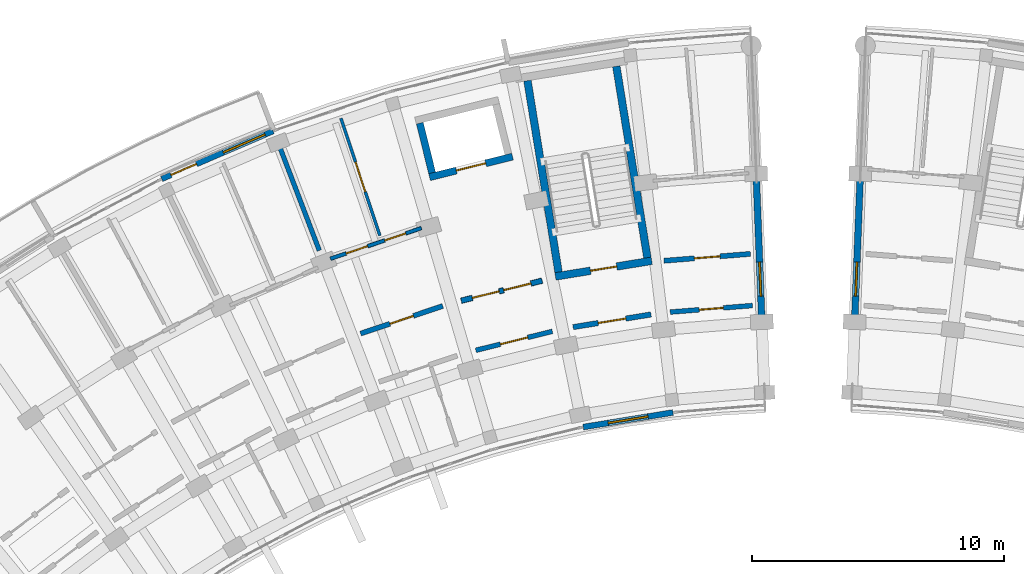
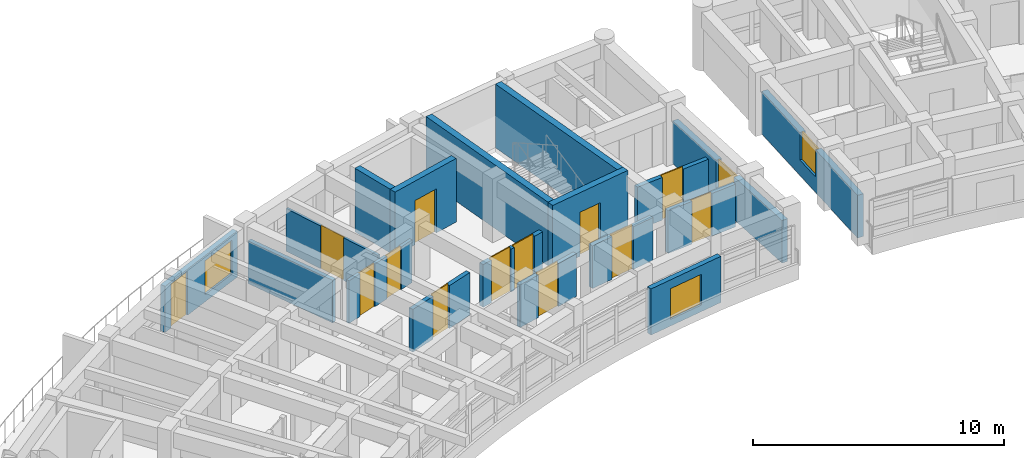
# One storey, part 46 of 70: 18 walls, 13 doors, 4 windows, 17 openings.
"""IFC4 building model written with IfcOpenShell, lengths in metres."""

from ifc_helpers import new_model, si_unit, direction, frame, frame_2d, origin, place, context, subcontext, project, spatial, rectangle, extrude, material, layer, layer_set, type_object, element, fill, save


model = new_model("IFC4")

# Units and contexts
model_context = context("Model", 3, precision=1e-05, world=origin(), true_north=direction((0.0, 1.0)))
body_context = subcontext(model_context, "Body", "Model", "MODEL_VIEW")
ifc_project = project(units=[si_unit("LENGTHUNIT", "METRE"), si_unit("AREAUNIT", "SQUARE_METRE"), si_unit("VOLUMEUNIT", "CUBIC_METRE"), si_unit("PLANEANGLEUNIT", "RADIAN"), si_unit("MASSUNIT", "GRAM", prefix="KILO")], contexts=[model_context])

# Site, building, storey
site_placement = place(None, origin())
site = spatial("IfcSite", under=ifc_project, at=site_placement, CompositionType="ELEMENT")
building_placement = place(site_placement, origin())
building = spatial("IfcBuilding", under=site, at=building_placement, Name="Zimvara Arc Housing Community", CompositionType="ELEMENT")
storey_placement = place(building_placement, frame((0.0, 0.0, 8.10009765625)))
storey = spatial("IfcBuildingStorey", under=building, at=storey_placement, Name="L02", CompositionType="ELEMENT", Elevation=8.10009765625)

# Wall, opening, window
ifc_material_1 = material(Name="Board-Marked Fair-Faced Concrete C35/45", Category="concrete")
ifc_layer_1 = layer(ifc_material_1, 0.22998046875)
ifc_layer_set_1 = layer_set([ifc_layer_1], Name="Board-Marked Fair-Faced Concrete C35/45")
wall_type_1 = type_object("IfcWallType", Name="EWL-CONC-230", PredefinedType="SOLIDWALL", material=ifc_layer_set_1)
wall_1_placement = place(storey_placement, frame((36.078125, 88.218017578125, 0.0), z_axis=(0.0, 0.0, 1.0), x_axis=(0.987080874485, 0.160222804952, 0.0)))
wall_1 = element("IfcWall", 1, at=wall_1_placement, inside=storey, type_object=wall_type_1, Name="ewall:blkA:L02:in:b8", PredefinedType="SOLIDWALL", context=body_context, shape_type="SweptSolid", body=[
    extrude(rectangle(XDim=3.603759765625, YDim=0.22998046875, at=frame_2d((1.8017578125, 0.0))), origin(), (0.0, 0.0, 1.0), 2.25),
])
opening_1_placement = place(wall_1_placement, frame((1.001708984375, 0.0, 0.320068359375)))
opening_1 = element("IfcOpeningElement", 2, at=opening_1_placement, cuts=wall_1, Name="Opening W03", PredefinedType="OPENING", context=body_context, shape_type="SweptSolid", body=[
    extrude(rectangle(XDim=1.60009765625, YDim=1.5, at=frame_2d((0.800048828125, 0.75))), frame((0.0, 0.125, 0.0), z_axis=(0.0, -1.0, 0.0), x_axis=(1.0, 0.0, 0.0)), (0.0, 0.0, 1.0), 0.25),
])
ifc_material_2 = material(Name="Solar Control Low-E Double Glazing", Category="glass")
window_type_1 = type_object("IfcWindowType", Name="WIN-RES-1600x1500", PartitioningType="DOUBLE_PANEL_VERTICAL", PredefinedType="WINDOW", material=ifc_material_2)
window_1_placement = place(opening_1_placement, origin())
window_1 = element("IfcWindow", 3, at=window_1_placement, inside=storey, type_object=window_type_1, Name="win:blkA:L02:in:b8", OverallHeight=1.5, OverallWidth=1.60009765625, PartitioningType="DOUBLE_PANEL_VERTICAL", PredefinedType="WINDOW", context=body_context, shape_type="SweptSolid", body=[
    extrude(rectangle(XDim=1.60009765625, YDim=1.5, at=frame_2d((0.800048828125, 0.75))), frame((0.0, 0.030029296875, 0.0), z_axis=(0.0, -1.0, 0.0), x_axis=(1.0, 0.0, 0.0)), (0.0, 0.0, 1.0), 0.06005859375),
])
fill(opening_1, window_1)

ifc_material_3 = material(Name="Board-Marked Fair-Faced Concrete C35/45", Category="concrete")
ifc_layer_2 = layer(ifc_material_3, 0.264892578125)
ifc_layer_set_2 = layer_set([ifc_layer_2], Name="Board-Marked Fair-Faced Concrete C35/45")
wall_type_2 = type_object("IfcWallType", Name="EWL-CONC-265", PredefinedType="SOLIDWALL", material=ifc_layer_set_2)
wall_2_placement = place(storey_placement, frame((43.2587890625, 89.82666015625, 0.0), z_axis=(0.0, 0.0, 1.0), x_axis=(-0.038407966241, 0.999262141847, 0.0)))
wall_2 = element("IfcWall", 4, at=wall_2_placement, inside=storey, type_object=wall_type_2, Name="ewall:blkA:L02:gN", PredefinedType="SOLIDWALL", context=body_context, shape_type="SweptSolid", body=[
    extrude(rectangle(XDim=8.199951171875, YDim=0.264892578125, at=frame_2d((4.10009765625, 0.0))), origin(), (0.0, 0.0, 1.0), 2.079833984375),
])
opening_2_placement = place(wall_2_placement, frame((3.590087890625, 0.0, 0.75)))
opening_2 = element("IfcOpeningElement", 5, at=opening_2_placement, cuts=wall_2, Name="Opening W12", PredefinedType="OPENING", context=body_context, shape_type="SweptSolid", body=[
    extrude(rectangle(XDim=1.35009765625, YDim=1.35009765625, at=frame_2d((0.675048828125, 0.675048828125))), frame((0.0, 0.142333984375, 0.0), z_axis=(0.0, -1.0, 0.0), x_axis=(1.0, 0.0, 0.0)), (0.0, 0.0, 1.0), 0.284912109375),
])
ifc_material_4 = material(Name="Solar Control Low-E Double Glazing", Category="glass")
window_type_2 = type_object("IfcWindowType", Name="WIN-RES-1350x1350", PartitioningType="DOUBLE_PANEL_VERTICAL", PredefinedType="WINDOW", material=ifc_material_4)
window_2_placement = place(opening_2_placement, origin())
window_2 = element("IfcWindow", 6, at=window_2_placement, inside=storey, type_object=window_type_2, Name="win:blkA:L02:gN:w", OverallHeight=1.35009765625, OverallWidth=1.35009765625, PartitioningType="DOUBLE_PANEL_VERTICAL", PredefinedType="WINDOW", context=body_context, shape_type="SweptSolid", body=[
    extrude(rectangle(XDim=1.35009765625, YDim=1.35009765625, at=frame_2d((0.675048828125, 0.675048828125))), frame((0.0, 0.030029296875, 0.0), z_axis=(0.0, -1.0, 0.0), x_axis=(1.0, 0.0, 0.0)), (0.0, 0.0, 1.0), 0.06005859375),
])
fill(opening_2, window_2)

wall_3_placement = place(storey_placement, frame((46.7412109375, 89.82666015625, 0.0), z_axis=(0.0, 0.0, 1.0), x_axis=(0.038407966241, 0.999262141847, 0.0)))
wall_3 = element("IfcWall", 7, at=wall_3_placement, inside=storey, type_object=wall_type_2, Name="ewall:blkB:L02:g0", PredefinedType="SOLIDWALL", context=body_context, shape_type="SweptSolid", body=[
    extrude(rectangle(XDim=8.199951171875, YDim=0.264892578125, at=frame_2d((4.10009765625, 0.0))), origin(), (0.0, 0.0, 1.0), 2.079833984375),
])
opening_3_placement = place(wall_3_placement, frame((3.590087890625, 0.0, 0.75)))
opening_3 = element("IfcOpeningElement", 8, at=opening_3_placement, cuts=wall_3, Name="Opening W12", PredefinedType="OPENING", context=body_context, shape_type="SweptSolid", body=[
    extrude(rectangle(XDim=1.35009765625, YDim=1.35009765625, at=frame_2d((0.675048828125, 0.675048828125))), frame((0.0, 0.142333984375, 0.0), z_axis=(0.0, -1.0, 0.0), x_axis=(1.0, 0.0, 0.0)), (0.0, 0.0, 1.0), 0.284912109375),
])
window_3_placement = place(opening_3_placement, origin())
window_3 = element("IfcWindow", 9, at=window_3_placement, inside=storey, type_object=window_type_2, Name="win:blkB:L02:g0:w", OverallHeight=1.35009765625, OverallWidth=1.35009765625, PartitioningType="DOUBLE_PANEL_VERTICAL", PredefinedType="WINDOW", context=body_context, shape_type="SweptSolid", body=[
    extrude(rectangle(XDim=1.35009765625, YDim=1.35009765625, at=frame_2d((0.675048828125, 0.675048828125))), frame((0.0, 0.030029296875, 0.0), z_axis=(0.0, -1.0, 0.0), x_axis=(1.0, 0.0, 0.0)), (0.0, 0.0, 1.0), 0.06005859375),
])
fill(opening_3, window_3)

# Wall, openings, door, window
ifc_material_5 = material(Name="Board-Marked Fair-Faced Concrete C35/45", Category="concrete")
ifc_layer_3 = layer(ifc_material_5, 0.22802734375)
ifc_layer_set_3 = layer_set([ifc_layer_3], Name="Board-Marked Fair-Faced Concrete C35/45")
wall_type_3 = type_object("IfcWallType", Name="EWL-VAR-14", PredefinedType="SOLIDWALL", material=ifc_layer_set_3)
wall_4_placement = place(storey_placement, frame((19.361083984375, 98.05859375, 0.0), z_axis=(0.0, 0.0, 1.0), x_axis=(0.918711189033, 0.394930058548, 0.0)))
wall_4 = element("IfcWall", 10, at=wall_4_placement, inside=storey, type_object=wall_type_3, Name="ewall:blkA:L02:out:b5", PredefinedType="SOLIDWALL", context=body_context, shape_type="SweptSolid", body=[
    extrude(rectangle(XDim=4.808837890625, YDim=0.22802734375, at=frame_2d((2.404296875, 0.0))), origin(), (0.0, 0.0, 1.0), 2.25),
])
opening_4_placement = place(wall_4_placement, frame((0.39990234375, 0.0, 0.0)))
opening_4 = element("IfcOpeningElement", 11, at=opening_4_placement, cuts=wall_4, Name="Opening ED06", PredefinedType="OPENING", context=body_context, shape_type="SweptSolid", body=[
    extrude(rectangle(XDim=1.10009765625, YDim=2.14990234375, at=frame_2d((0.550048828125, 1.074951171875))), frame((0.0, 0.1240234375, 0.0), z_axis=(0.0, -1.0, 0.0), x_axis=(1.0, 0.0, 0.0)), (0.0, 0.0, 1.0), 0.248046875),
])
opening_5_placement = place(wall_4_placement, frame((2.658935546875, 0.0, 0.35009765625)))
opening_5 = element("IfcOpeningElement", 12, at=opening_5_placement, cuts=wall_4, Name="Opening W08", PredefinedType="OPENING", context=body_context, shape_type="SweptSolid", body=[
    extrude(rectangle(XDim=1.800048828125, YDim=1.64990234375, at=frame_2d((0.89990234375, 0.824951171875))), frame((0.0, 0.1240234375, 0.0), z_axis=(0.0, -1.0, 0.0), x_axis=(1.0, 0.0, 0.0)), (0.0, 0.0, 1.0), 0.248046875),
])
ifc_material_6 = material(Name="Anodised Aluminium AW-6063", Category="aluminium")
door_type_1 = type_object("IfcDoorType", Name="EDR-TERR-1100x2150", OperationType="NOTDEFINED", PredefinedType="DOOR", material=ifc_material_6)
door_1_placement = place(opening_4_placement, origin())
door_1 = element("IfcDoor", 13, at=door_1_placement, inside=storey, type_object=door_type_1, Name="edoor:blkA:L02:bal_out:b5", OperationType="SINGLE_SWING_LEFT", OverallHeight=2.14990234375, OverallWidth=1.10009765625, PredefinedType="DOOR", context=body_context, shape_type="SweptSolid", body=[
    extrude(rectangle(XDim=1.10009765625, YDim=2.14990234375, at=frame_2d((0.550048828125, 1.074951171875))), frame((0.0, 0.02490234375, 0.0), z_axis=(0.0, -1.0, 0.0), x_axis=(1.0, 0.0, 0.0)), (0.0, 0.0, 1.0), 0.050048828125),
])
fill(opening_4, door_1)
ifc_material_7 = material(Name="Solar Control Low-E Double Glazing", Category="glass")
window_type_3 = type_object("IfcWindowType", Name="WIN-RES-1800x1650", PartitioningType="TRIPLE_PANEL_VERTICAL", PredefinedType="WINDOW", material=ifc_material_7)
window_4_placement = place(opening_5_placement, origin())
window_4 = element("IfcWindow", 14, at=window_4_placement, inside=storey, type_object=window_type_3, Name="win:blkA:L02:out:b5:balw", OverallHeight=1.64990234375, OverallWidth=1.800048828125, PartitioningType="TRIPLE_PANEL_VERTICAL", PredefinedType="WINDOW", context=body_context, shape_type="SweptSolid", body=[
    extrude(rectangle(XDim=1.800048828125, YDim=1.64990234375, at=frame_2d((0.89990234375, 0.824951171875))), frame((0.0, 0.030029296875, 0.0), z_axis=(0.0, -1.0, 0.0), x_axis=(1.0, 0.0, 0.0)), (0.0, 0.0, 1.0), 0.06005859375),
])
fill(opening_5, window_4)

# Wall, openings, doors
ifc_material_8 = material(Name="Concrete C35/45", Category="concrete")
ifc_layer_4 = layer(ifc_material_8, 0.2099609375)
ifc_layer_set_4 = layer_set([ifc_layer_4], Name="Concrete C35/45")
wall_type_4 = type_object("IfcWallType", Name="IWL-CCF-210", PredefinedType="SOLIDWALL", material=ifc_layer_set_4)
wall_5_placement = place(storey_placement, frame((31.242919921875, 93.22998046875, 0.0), z_axis=(0.0, 0.0, 1.0), x_axis=(0.970719238682, 0.240216901263, 0.0)))
wall_5 = element("IfcWall", 15, at=wall_5_placement, inside=storey, type_object=wall_type_4, Name="iwall:blkA:L02:ll_div:b7", PredefinedType="SOLIDWALL", context=body_context, shape_type="SweptSolid", body=[
    extrude(rectangle(XDim=3.2958984375, YDim=0.2099609375, at=frame_2d((1.64794921875, 0.0))), origin(), (0.0, 0.0, 1.0), 2.079833984375),
])
opening_6_placement = place(wall_5_placement, frame((0.449951171875, 0.0, 0.0)))
opening_6 = element("IfcOpeningElement", 16, at=opening_6_placement, cuts=wall_5, Name="Opening FD-CCF1", PredefinedType="OPENING", context=body_context, shape_type="SweptSolid", body=[
    extrude(rectangle(XDim=1.10009765625, YDim=2.14990234375, at=frame_2d((0.550048828125, 1.074951171875))), frame((0.0, 0.114990234375, 0.0), z_axis=(0.0, -1.0, 0.0), x_axis=(1.0, 0.0, 0.0)), (0.0, 0.0, 1.0), 0.22998046875),
])
opening_7_placement = place(wall_5_placement, frame((1.72607421875, 0.0, 0.0)))
opening_7 = element("IfcOpeningElement", 17, at=opening_7_placement, cuts=wall_5, Name="Opening D07", PredefinedType="OPENING", context=body_context, shape_type="SweptSolid", body=[
    extrude(rectangle(XDim=1.1201171875, YDim=2.14990234375, at=frame_2d((0.56005859375, 1.074951171875))), frame((0.0, 0.114990234375, 0.0), z_axis=(0.0, -1.0, 0.0), x_axis=(1.0, 0.0, 0.0)), (0.0, 0.0, 1.0), 0.22998046875),
])
ifc_material_9 = material(Name="Mozambican Hardwood", Category="wood")
door_type_2 = type_object("IfcDoorType", Name="IDR-AMN-1120x2150", OperationType="NOTDEFINED", PredefinedType="DOOR", material=ifc_material_9)
door_2_placement = place(opening_7_placement, origin())
door_2 = element("IfcDoor", 18, at=door_2_placement, inside=storey, type_object=door_type_2, Name="idoor:blkA:L02:rs_in:b7", OperationType="SINGLE_SWING_RIGHT", OverallHeight=2.14990234375, OverallWidth=1.1201171875, PredefinedType="DOOR", context=body_context, shape_type="SweptSolid", body=[
    extrude(rectangle(XDim=1.1201171875, YDim=2.14990234375, at=frame_2d((0.56005859375, 1.074951171875))), frame((0.0, 0.02490234375, 0.0), z_axis=(0.0, -1.0, 0.0), x_axis=(1.0, 0.0, 0.0)), (0.0, 0.0, 1.0), 0.050048828125),
])
fill(opening_7, door_2)
ifc_material_10 = material(Name="Anodised Aluminium AW-6063", Category="aluminium")
door_type_3 = type_object("IfcDoorType", Name="IDR-CCF-1100x2150", OperationType="NOTDEFINED", PredefinedType="DOOR", material=ifc_material_10)
door_3_placement = place(opening_6_placement, origin())
door_3 = element("IfcDoor", 19, at=door_3_placement, inside=storey, type_object=door_type_3, Name="idoor:blkA:L02:ll_in:b7", OperationType="SINGLE_SWING_LEFT", OverallHeight=2.14990234375, OverallWidth=1.10009765625, PredefinedType="DOOR", context=body_context, shape_type="SweptSolid", body=[
    extrude(rectangle(XDim=1.10009765625, YDim=2.14990234375, at=frame_2d((0.550048828125, 1.074951171875))), frame((0.0, 0.02490234375, 0.0), z_axis=(0.0, -1.0, 0.0), x_axis=(1.0, 0.0, 0.0)), (0.0, 0.0, 1.0), 0.050048828125),
])
fill(opening_6, door_3)

# Wall, opening, door
wall_6_placement = place(storey_placement, frame((35.675537109375, 92.181396484375, 0.0), z_axis=(0.0, 0.0, 1.0), x_axis=(0.98707079686, 0.160284877599, 0.0)))
wall_6 = element("IfcWall", 20, at=wall_6_placement, inside=storey, type_object=wall_type_4, Name="iwall:blkA:L02:ccf_div:b8", PredefinedType="SOLIDWALL", context=body_context, shape_type="SweptSolid", body=[
    extrude(rectangle(XDim=3.128662109375, YDim=0.2099609375, at=frame_2d((1.564453125, 0.0))), origin(), (0.0, 0.0, 1.0), 2.079833984375),
])
opening_8_placement = place(wall_6_placement, frame((1.014404296875, 0.0, 0.0)))
opening_8 = element("IfcOpeningElement", 21, at=opening_8_placement, cuts=wall_6, Name="Opening FD-CCF1", PredefinedType="OPENING", context=body_context, shape_type="SweptSolid", body=[
    extrude(rectangle(XDim=1.10009765625, YDim=2.14990234375, at=frame_2d((0.550048828125, 1.074951171875))), frame((0.0, 0.114990234375, 0.0), z_axis=(0.0, -1.0, 0.0), x_axis=(1.0, 0.0, 0.0)), (0.0, 0.0, 1.0), 0.22998046875),
])
door_4_placement = place(opening_8_placement, origin())
door_4 = element("IfcDoor", 22, at=door_4_placement, inside=storey, type_object=door_type_3, Name="idoor:blkA:L02:ccf_in:b8", OperationType="SINGLE_SWING_RIGHT", OverallHeight=2.14990234375, OverallWidth=1.10009765625, PredefinedType="DOOR", context=body_context, shape_type="SweptSolid", body=[
    extrude(rectangle(XDim=1.10009765625, YDim=2.14990234375, at=frame_2d((0.550048828125, 1.074951171875))), frame((0.0, 0.02490234375, 0.0), z_axis=(0.0, -1.0, 0.0), x_axis=(1.0, 0.0, 0.0)), (0.0, 0.0, 1.0), 0.050048828125),
])
fill(opening_8, door_4)

ifc_material_11 = material(Name="Concrete C35/45", Category="concrete")
ifc_layer_5 = layer(ifc_material_11, 0.18994140625)
ifc_layer_set_5 = layer_set([ifc_layer_5], Name="Concrete C35/45")
wall_type_5 = type_object("IfcWallType", Name="IWL-CORR-190", PredefinedType="SOLIDWALL", material=ifc_layer_set_5)
wall_7_placement = place(storey_placement, frame((31.816162109375, 91.26171875, 0.0), z_axis=(0.0, 0.0, 1.0), x_axis=(0.970727194092, 0.240184751078, 0.0)))
wall_7 = element("IfcWall", 23, at=wall_7_placement, inside=storey, type_object=wall_type_5, Name="iwall:blkA:L02:ra_div:b7", PredefinedType="SOLIDWALL", context=body_context, shape_type="SweptSolid", body=[
    extrude(rectangle(XDim=3.128662109375, YDim=0.18994140625, at=frame_2d((1.564453125, 0.0))), origin(), (0.0, 0.0, 1.0), 2.079833984375),
])
opening_9_placement = place(wall_7_placement, frame((1.00439453125, 0.0, 0.0)))
opening_9 = element("IfcOpeningElement", 24, at=opening_9_placement, cuts=wall_7, Name="Opening D07", PredefinedType="OPENING", context=body_context, shape_type="SweptSolid", body=[
    extrude(rectangle(XDim=1.1201171875, YDim=2.14990234375, at=frame_2d((0.56005859375, 1.074951171875))), frame((0.0, 0.10498046875, 0.0), z_axis=(0.0, -1.0, 0.0), x_axis=(1.0, 0.0, 0.0)), (0.0, 0.0, 1.0), 0.2099609375),
])
door_5_placement = place(opening_9_placement, origin())
door_5 = element("IfcDoor", 25, at=door_5_placement, inside=storey, type_object=door_type_2, Name="idoor:blkA:L02:ra_d:b7", OperationType="SINGLE_SWING_LEFT", OverallHeight=2.14990234375, OverallWidth=1.1201171875, PredefinedType="DOOR", context=body_context, shape_type="SweptSolid", body=[
    extrude(rectangle(XDim=1.1201171875, YDim=2.14990234375, at=frame_2d((0.56005859375, 1.074951171875))), frame((0.0, 0.02490234375, 0.0), z_axis=(0.0, -1.0, 0.0), x_axis=(1.0, 0.0, 0.0)), (0.0, 0.0, 1.0), 0.050048828125),
])
fill(opening_9, door_5)

wall_8_placement = place(storey_placement, frame((39.527099609375, 92.77783203125, 0.0), z_axis=(0.0, 0.0, 1.0), x_axis=(0.99686660806, 0.07910098441, 0.0)))
wall_8 = element("IfcWall", 26, at=wall_8_placement, inside=storey, type_object=wall_type_5, Name="iwall:blkA:L02:corr_in:b9", PredefinedType="SOLIDWALL", context=body_context, shape_type="SweptSolid", body=[
    extrude(rectangle(XDim=3.2685546875, YDim=0.18994140625, at=frame_2d((1.63427734375, 0.0))), origin(), (0.0, 0.0, 1.0), 2.079833984375),
])
opening_10_placement = place(wall_8_placement, frame((1.154296875, 0.0, 0.0)))
opening_10 = element("IfcOpeningElement", 27, at=opening_10_placement, cuts=wall_8, Name="Opening D04", PredefinedType="OPENING", context=body_context, shape_type="SweptSolid", body=[
    extrude(rectangle(XDim=0.9599609375, YDim=2.10009765625, at=frame_2d((0.47998046875, 1.050048828125))), frame((0.0, 0.10498046875, 0.0), z_axis=(0.0, -1.0, 0.0), x_axis=(1.0, 0.0, 0.0)), (0.0, 0.0, 1.0), 0.2099609375),
])
ifc_material_12 = material(Name="Mozambican Hardwood", Category="wood")
door_type_4 = type_object("IfcDoorType", Name="IDR-RM-0960x2100", OperationType="NOTDEFINED", PredefinedType="DOOR", material=ifc_material_12)
door_6_placement = place(opening_10_placement, origin())
door_6 = element("IfcDoor", 28, at=door_6_placement, inside=storey, type_object=door_type_4, Name="idoor:blkA:L02:in_rm:b9", OperationType="SINGLE_SWING_RIGHT", OverallHeight=2.10009765625, OverallWidth=0.9599609375, PredefinedType="DOOR", context=body_context, shape_type="SweptSolid", body=[
    extrude(rectangle(XDim=0.9599609375, YDim=2.10009765625, at=frame_2d((0.47998046875, 1.050048828125))), frame((0.0, 0.02490234375, 0.0), z_axis=(0.0, -1.0, 0.0), x_axis=(1.0, 0.0, 0.0)), (0.0, 0.0, 1.0), 0.050048828125),
])
fill(opening_10, door_6)

ifc_material_13 = material(Name="Concrete C35/45", Category="concrete")
ifc_layer_6 = layer(ifc_material_13, 0.199951171875)
ifc_layer_set_6 = layer_set([ifc_layer_6], Name="Concrete C35/45")
wall_type_6 = type_object("IfcWallType", Name="IWL-CORR-200", PredefinedType="SOLIDWALL", material=ifc_layer_set_6)
wall_9_placement = place(storey_placement, frame((27.24658203125, 91.922607421875, 0.0), z_axis=(0.0, 0.0, 1.0), x_axis=(0.947863007629, 0.318678080151, 0.0)))
wall_9 = element("IfcWall", 29, at=wall_9_placement, inside=storey, type_object=wall_type_6, Name="iwall:blkA:L02:corr_out:b6", PredefinedType="SOLIDWALL", context=body_context, shape_type="SweptSolid", body=[
    extrude(rectangle(XDim=3.43603515625, YDim=0.199951171875, at=frame_2d((1.718017578125, 0.0))), origin(), (0.0, 0.0, 1.0), 2.079833984375),
])
opening_11_placement = place(wall_9_placement, frame((1.22802734375, 0.0, 0.0)))
opening_11 = element("IfcOpeningElement", 30, at=opening_11_placement, cuts=wall_9, Name="Opening FD-FL1", PredefinedType="OPENING", context=body_context, shape_type="SweptSolid", body=[
    extrude(rectangle(XDim=0.97998046875, YDim=2.14990234375, at=frame_2d((0.489990234375, 1.074951171875))), frame((0.0, 0.10986328125, 0.0), z_axis=(0.0, -1.0, 0.0), x_axis=(1.0, 0.0, 0.0)), (0.0, 0.0, 1.0), 0.219970703125),
])
ifc_material_14 = material(Name="Mozambican Hardwood", Category="wood")
door_type_5 = type_object("IfcDoorType", Name="IDR-FLAT-0980x2150", OperationType="NOTDEFINED", PredefinedType="DOOR", material=ifc_material_14)
door_7_placement = place(opening_11_placement, origin())
door_7 = element("IfcDoor", 31, at=door_7_placement, inside=storey, type_object=door_type_5, Name="idoor:blkA:L02:flat:b6", OperationType="SINGLE_SWING_LEFT", OverallHeight=2.14990234375, OverallWidth=0.97998046875, PredefinedType="DOOR", context=body_context, shape_type="SweptSolid", body=[
    extrude(rectangle(XDim=0.97998046875, YDim=2.14990234375, at=frame_2d((0.489990234375, 1.074951171875))), frame((0.0, 0.02490234375, 0.0), z_axis=(0.0, -1.0, 0.0), x_axis=(1.0, 0.0, 0.0)), (0.0, 0.0, 1.0), 0.050048828125),
])
fill(opening_11, door_7)

wall_10_placement = place(storey_placement, frame((39.281494140625, 94.81298828125, 0.0), z_axis=(0.0, 0.0, 1.0), x_axis=(0.996862545573, 0.079152165058, 0.0)))
wall_10 = element("IfcWall", 32, at=wall_10_placement, inside=storey, type_object=wall_type_6, Name="iwall:blkA:L02:corr_out:b9", PredefinedType="SOLIDWALL", context=body_context, shape_type="SweptSolid", body=[
    extrude(rectangle(XDim=3.43603515625, YDim=0.199951171875, at=frame_2d((1.718017578125, 0.0))), origin(), (0.0, 0.0, 1.0), 2.079833984375),
])
opening_12_placement = place(wall_10_placement, frame((1.2080078125, 0.0, 0.0)))
opening_12 = element("IfcOpeningElement", 33, at=opening_12_placement, cuts=wall_10, Name="Opening FD-FL2", PredefinedType="OPENING", context=body_context, shape_type="SweptSolid", body=[
    extrude(rectangle(XDim=1.02001953125, YDim=2.14990234375, at=frame_2d((0.510009765625, 1.074951171875))), frame((0.0, 0.10986328125, 0.0), z_axis=(0.0, -1.0, 0.0), x_axis=(1.0, 0.0, 0.0)), (0.0, 0.0, 1.0), 0.219970703125),
])
ifc_material_15 = material(Name="Mozambican Hardwood", Category="wood")
door_type_6 = type_object("IfcDoorType", Name="IDR-FLAT-1020x2150", OperationType="NOTDEFINED", PredefinedType="DOOR", material=ifc_material_15)
door_8_placement = place(opening_12_placement, origin())
door_8 = element("IfcDoor", 34, at=door_8_placement, inside=storey, type_object=door_type_6, Name="idoor:blkA:L02:flat:b9", OperationType="SINGLE_SWING_LEFT", OverallHeight=2.14990234375, OverallWidth=1.02001953125, PredefinedType="DOOR", context=body_context, shape_type="SweptSolid", body=[
    extrude(rectangle(XDim=1.02001953125, YDim=2.14990234375, at=frame_2d((0.510009765625, 1.074951171875))), frame((0.0, 0.02490234375, 0.0), z_axis=(0.0, -1.0, 0.0), x_axis=(1.0, 0.0, 0.0)), (0.0, 0.0, 1.0), 0.050048828125),
])
fill(opening_12, door_8)

# Wall
ifc_material_16 = material(Name="Concrete C35/45", Category="concrete")
ifc_layer_7 = layer(ifc_material_16, 0.18505859375)
ifc_layer_set_7 = layer_set([ifc_layer_7], Name="Concrete C35/45")
wall_type_7 = type_object("IfcWallType", Name="IWL-FLAT-185", PredefinedType="SOLIDWALL", material=ifc_layer_set_7)
wall_11_placement = place(storey_placement, frame((25.611328125, 95.220458984375, 0.0), z_axis=(0.0, 0.0, 1.0), x_axis=(-0.357064016205, 0.934079915388, 0.0)))
element("IfcWall", 35, at=wall_11_placement, inside=storey, type_object=wall_type_7, Name="iwall:blkA:L02:party:b6", PredefinedType="SOLIDWALL", context=body_context, shape_type="SweptSolid", body=[
    extrude(rectangle(XDim=4.35009765625, YDim=0.18505859375, at=frame_2d((2.175048828125, 0.0))), origin(), (0.0, 0.0, 1.0), 2.079833984375),
])

# Wall, opening, door
ifc_material_17 = material(Name="Painted Acoustic Plasterboard")
ifc_layer_8 = layer(ifc_material_17, 0.1201171875)
ifc_layer_set_8 = layer_set([ifc_layer_8], Name="Painted Acoustic Plasterboard")
wall_type_8 = type_object("IfcWallType", Name="IWL-PART-120", PredefinedType="PARTITIONING", material=ifc_layer_set_8)
wall_12_placement = place(storey_placement, frame((28.010009765625, 95.810302734375, 0.0), z_axis=(0.0, 0.0, 1.0), x_axis=(-0.314343770763, 0.949309219266, 0.0)))
wall_12 = element("IfcWall", 36, at=wall_12_placement, inside=storey, type_object=wall_type_8, Name="iwall:blkA:L02:bed_div:b6", PredefinedType="PARTITIONING", context=body_context, shape_type="SweptSolid", body=[
    extrude(rectangle(XDim=4.89990234375, YDim=0.1201171875, at=frame_2d((2.449951171875, 0.0))), origin(), (0.0, 0.0, 1.0), 2.079833984375),
])
opening_13_placement = place(wall_12_placement, frame((1.830078125, 0.0, 0.0)))
opening_13 = element("IfcOpeningElement", 37, at=opening_13_placement, cuts=wall_12, Name="Opening D19", PredefinedType="OPENING", context=body_context, shape_type="SweptSolid", body=[
    extrude(rectangle(XDim=1.239990234375, YDim=2.10009765625, at=frame_2d((0.6201171875, 1.050048828125))), frame((0.0, 0.070068359375, 0.0), z_axis=(0.0, -1.0, 0.0), x_axis=(1.0, 0.0, 0.0)), (0.0, 0.0, 1.0), 0.14013671875),
])
ifc_material_18 = material(Name="Mozambican Hardwood", Category="wood")
door_type_7 = type_object("IfcDoorType", Name="IDR-MOD-1240x2180", OperationType="NOTDEFINED", PredefinedType="DOOR", material=ifc_material_18)
door_9_placement = place(opening_13_placement, origin())
door_9 = element("IfcDoor", 38, at=door_9_placement, inside=storey, type_object=door_type_7, Name="idoor:blkA:L02:bed_d:b6", OperationType="SINGLE_SWING_RIGHT", OverallHeight=2.10009765625, OverallWidth=1.239990234375, PredefinedType="DOOR", context=body_context, shape_type="SweptSolid", body=[
    extrude(rectangle(XDim=1.239990234375, YDim=2.10009765625, at=frame_2d((0.6201171875, 1.050048828125))), frame((0.0, 0.02490234375, 0.0), z_axis=(0.0, -1.0, 0.0), x_axis=(1.0, 0.0, 0.0)), (0.0, 0.0, 1.0), 0.050048828125),
])
fill(opening_13, door_9)

# Wall, openings, doors
ifc_material_19 = material(Name="Painted Acoustic Plasterboard")
ifc_layer_9 = layer(ifc_material_19, 0.139892578125)
ifc_layer_set_9 = layer_set([ifc_layer_9], Name="Painted Acoustic Plasterboard")
wall_type_9 = type_object("IfcWallType", Name="IWL-PART-140", PredefinedType="PARTITIONING", material=ifc_layer_set_9)
wall_13_placement = place(storey_placement, frame((26.056396484375, 94.895751953125, 0.0), z_axis=(0.0, 0.0, 1.0), x_axis=(0.947876567739, 0.318637744673, 0.0)))
wall_13 = element("IfcWall", 39, at=wall_13_placement, inside=storey, type_object=wall_type_9, Name="iwall:blkA:L02:srv:b6", PredefinedType="PARTITIONING", context=body_context, shape_type="SweptSolid", body=[
    extrude(rectangle(XDim=3.79736328125, YDim=0.139892578125, at=frame_2d((1.898681640625, 0.0))), origin(), (0.0, 0.0, 1.0), 2.079833984375),
])
opening_14_placement = place(wall_13_placement, frame((0.64990234375, 0.0, 0.0)))
opening_14 = element("IfcOpeningElement", 40, at=opening_14_placement, cuts=wall_13, Name="Opening D01", PredefinedType="OPENING", context=body_context, shape_type="SweptSolid", body=[
    extrude(rectangle(XDim=0.89990234375, YDim=2.10009765625, at=frame_2d((0.449951171875, 1.050048828125))), frame((0.0, 0.079833984375, 0.0), z_axis=(0.0, -1.0, 0.0), x_axis=(1.0, 0.0, 0.0)), (0.0, 0.0, 1.0), 0.159912109375),
])
opening_15_placement = place(wall_13_placement, frame((2.267333984375, 0.0, 0.0)))
opening_15 = element("IfcOpeningElement", 41, at=opening_15_placement, cuts=wall_13, Name="Opening D05", PredefinedType="OPENING", context=body_context, shape_type="SweptSolid", body=[
    extrude(rectangle(XDim=0.8798828125, YDim=2.10009765625, at=frame_2d((0.43994140625, 1.050048828125))), frame((0.0, 0.079833984375, 0.0), z_axis=(0.0, -1.0, 0.0), x_axis=(1.0, 0.0, 0.0)), (0.0, 0.0, 1.0), 0.159912109375),
])
ifc_material_20 = material(Name="Mozambican Hardwood", Category="wood")
door_type_8 = type_object("IfcDoorType", Name="IDR-RM-0900x2100", OperationType="NOTDEFINED", PredefinedType="DOOR", material=ifc_material_20)
door_10_placement = place(opening_14_placement, origin())
door_10 = element("IfcDoor", 42, at=door_10_placement, inside=storey, type_object=door_type_8, Name="idoor:blkA:L02:kit_liv:b6", OperationType="SINGLE_SWING_RIGHT", OverallHeight=2.10009765625, OverallWidth=0.89990234375, PredefinedType="DOOR", context=body_context, shape_type="SweptSolid", body=[
    extrude(rectangle(XDim=0.89990234375, YDim=2.10009765625, at=frame_2d((0.449951171875, 1.050048828125))), frame((0.0, 0.02490234375, 0.0), z_axis=(0.0, -1.0, 0.0), x_axis=(1.0, 0.0, 0.0)), (0.0, 0.0, 1.0), 0.050048828125),
])
fill(opening_14, door_10)
ifc_material_21 = material(Name="Mozambican Hardwood", Category="wood")
door_type_9 = type_object("IfcDoorType", Name="IDR-WC-0880x2100", OperationType="NOTDEFINED", PredefinedType="DOOR", material=ifc_material_21)
door_11_placement = place(opening_15_placement, origin())
door_11 = element("IfcDoor", 43, at=door_11_placement, inside=storey, type_object=door_type_9, Name="idoor:blkA:L02:bath_d:b6", OperationType="SINGLE_SWING_LEFT", OverallHeight=2.10009765625, OverallWidth=0.8798828125, PredefinedType="DOOR", context=body_context, shape_type="SweptSolid", body=[
    extrude(rectangle(XDim=0.8798828125, YDim=2.10009765625, at=frame_2d((0.43994140625, 1.050048828125))), frame((0.0, 0.02490234375, 0.0), z_axis=(0.0, -1.0, 0.0), x_axis=(1.0, 0.0, 0.0)), (0.0, 0.0, 1.0), 0.050048828125),
])
fill(opening_15, door_11)

# Wall, opening, door
ifc_material_22 = material(Name="Concrete C40/50", Category="concrete")
ifc_layer_10 = layer(ifc_material_22, 0.280029296875)
ifc_layer_set_10 = layer_set([ifc_layer_10], Name="Concrete C40/50")
wall_type_10 = type_object("IfcWallType", Name="WL-CORE-280", PredefinedType="SHEAR", material=ifc_layer_set_10)
wall_14_placement = place(storey_placement, frame((33.27294921875, 98.942138671875, 0.0), z_axis=(0.0, 0.0, 1.0), x_axis=(-0.970707542441, -0.240264160972, 0.0)))
wall_14 = element("IfcWall", 44, at=wall_14_placement, inside=storey, type_object=wall_type_10, Name="lwall:LF-A2:L02:front", PredefinedType="SHEAR", context=body_context, shape_type="SweptSolid", body=[
    extrude(rectangle(XDim=3.389892578125, YDim=0.280029296875, at=frame_2d((1.69482421875, 0.0))), origin(), (0.0, 0.0, 1.0), 3.099853515625),
])
opening_16_placement = place(wall_14_placement, frame((1.094970703125, 0.0, 0.0)))
opening_16 = element("IfcOpeningElement", 45, at=opening_16_placement, cuts=wall_14, Name="Opening LD-LF-A2", PredefinedType="OPENING", context=body_context, shape_type="SweptSolid", body=[
    extrude(rectangle(XDim=1.199951171875, YDim=2.14990234375, at=frame_2d((0.60009765625, 1.074951171875))), frame((0.0, 0.14990234375, 0.0), z_axis=(0.0, -1.0, 0.0), x_axis=(1.0, 0.0, 0.0)), (0.0, 0.0, 1.0), 0.300048828125),
])
ifc_material_23 = material(Name="Anodised Aluminium AW-6063", Category="aluminium")
door_type_10 = type_object("IfcDoorType", Name="IDR-LD-1200x2150", OperationType="DOUBLE_DOOR_SLIDING", PredefinedType="DOOR", material=ifc_material_23)
door_12_placement = place(opening_16_placement, origin())
door_12 = element("IfcDoor", 46, at=door_12_placement, inside=storey, type_object=door_type_10, Name="Lift LF-A2 Sliding Landing Door L02", OperationType="DOUBLE_DOOR_SLIDING", OverallHeight=2.14990234375, OverallWidth=1.199951171875, PredefinedType="DOOR", context=body_context, shape_type="SweptSolid", body=[
    extrude(rectangle(XDim=1.199951171875, YDim=2.14990234375, at=frame_2d((0.60009765625, 1.074951171875))), frame((0.0, 0.02490234375, 0.0), z_axis=(0.0, -1.0, 0.0), x_axis=(1.0, 0.0, 0.0)), (0.0, 0.0, 1.0), 0.050048828125),
])
fill(opening_16, door_12)

# Wall
wall_15_placement = place(storey_placement, frame((30.084716796875, 98.29736328125, 0.0), z_axis=(0.0, 0.0, 1.0), x_axis=(-0.2402993748, 0.970698825832, 0.0)))
element("IfcWall", 47, at=wall_15_placement, inside=storey, type_object=wall_type_10, Name="lwall:LF-A2:L02:right", PredefinedType="SHEAR", context=body_context, shape_type="SweptSolid", body=[
    extrude(rectangle(XDim=2.030029296875, YDim=0.280029296875, at=frame_2d((1.01513671875, 0.0))), origin(), (0.0, 0.0, 1.0), 3.099853515625),
])

# Wall, opening, door
ifc_material_24 = material(Name="Concrete C40/50", Category="concrete")
ifc_layer_11 = layer(ifc_material_24, 0.300048828125)
ifc_layer_set_11 = layer_set([ifc_layer_11], Name="Concrete C40/50")
wall_type_11 = type_object("IfcWallType", Name="WL-CORE-300", PredefinedType="SHEAR", material=ifc_layer_set_11)
wall_16_placement = place(storey_placement, frame((38.793701171875, 94.810546875, 0.0), z_axis=(0.0, 0.0, 1.0), x_axis=(-0.987077443397, -0.160243941341, 0.0)))
wall_16 = element("IfcWall", 48, at=wall_16_placement, inside=storey, type_object=wall_type_11, Name="cwall:ST-A2:L02:near", PredefinedType="SHEAR", context=body_context, shape_type="SweptSolid", body=[
    extrude(rectangle(XDim=3.869873046875, YDim=0.300048828125, at=frame_2d((1.93505859375, 0.0))), origin(), (0.0, 0.0, 1.0), 3.099853515625),
])
opening_17_placement = place(wall_16_placement, frame((1.409912109375, 0.0, 0.0)))
opening_17 = element("IfcOpeningElement", 49, at=opening_17_placement, cuts=wall_16, Name="Opening FD-ST2", PredefinedType="OPENING", context=body_context, shape_type="SweptSolid", body=[
    extrude(rectangle(XDim=1.050048828125, YDim=2.14990234375, at=frame_2d((0.52490234375, 1.074951171875))), frame((0.0, 0.159912109375, 0.0), z_axis=(0.0, -1.0, 0.0), x_axis=(1.0, 0.0, 0.0)), (0.0, 0.0, 1.0), 0.320068359375),
])
ifc_material_25 = material(Name="Anodised Aluminium AW-6063", Category="aluminium")
door_type_11 = type_object("IfcDoorType", Name="IDR-ST-1050x2150", OperationType="NOTDEFINED", PredefinedType="DOOR", material=ifc_material_25)
door_13_placement = place(opening_17_placement, origin())
door_13 = element("IfcDoor", 50, at=door_13_placement, inside=storey, type_object=door_type_11, Name="idoor:ST-A2:L02:entry", OperationType="SINGLE_SWING_RIGHT", OverallHeight=2.14990234375, OverallWidth=1.050048828125, PredefinedType="DOOR", context=body_context, shape_type="SweptSolid", body=[
    extrude(rectangle(XDim=1.050048828125, YDim=2.14990234375, at=frame_2d((0.52490234375, 1.074951171875))), frame((0.0, 0.02490234375, 0.0), z_axis=(0.0, -1.0, 0.0), x_axis=(1.0, 0.0, 0.0)), (0.0, 0.0, 1.0), 0.050048828125),
])
fill(opening_17, door_13)

# Walls
for number, where, z_axis, x_axis, name in (
    (51, (38.62158203125, 94.9345703125, 0.0), (0.0, 0.0, 1.0), (-0.160196564502, 0.987085133472, 0.0), "cwall:ST-A2:L02:left"),
    (52, (35.097900390625, 94.362548828125, 0.0), (0.0, 0.0, 1.0), (-0.160227496777, 0.987080112897, 0.0), "cwall:ST-A2:L02:right"),
):
    element("IfcWall", number, at=place(storey_placement, frame(where, z_axis=z_axis, x_axis=x_axis)), inside=storey, type_object=wall_type_11, Name=name, PredefinedType="SHEAR", context=body_context, shape_type="SweptSolid", body=[
        extrude(rectangle(XDim=7.690185546875, YDim=0.300048828125, at=frame_2d((3.84521484375, 0.0))), origin(), (0.0, 0.0, 1.0), 3.099853515625),
    ])

save(model, "model.ifc")
